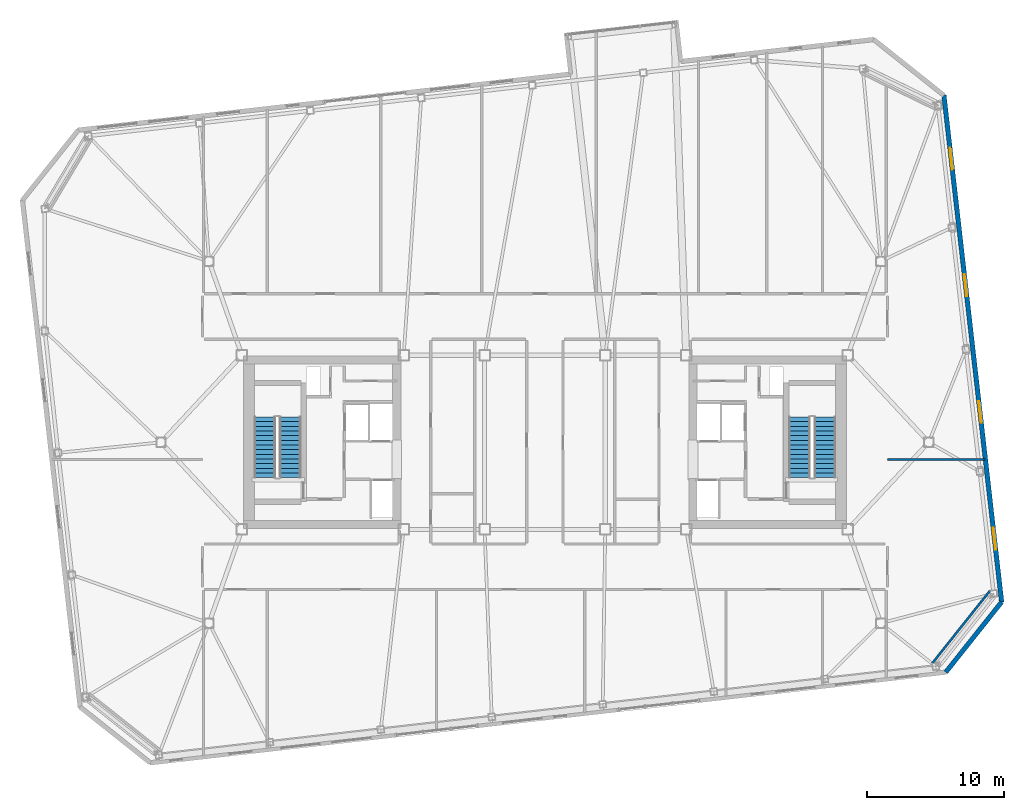
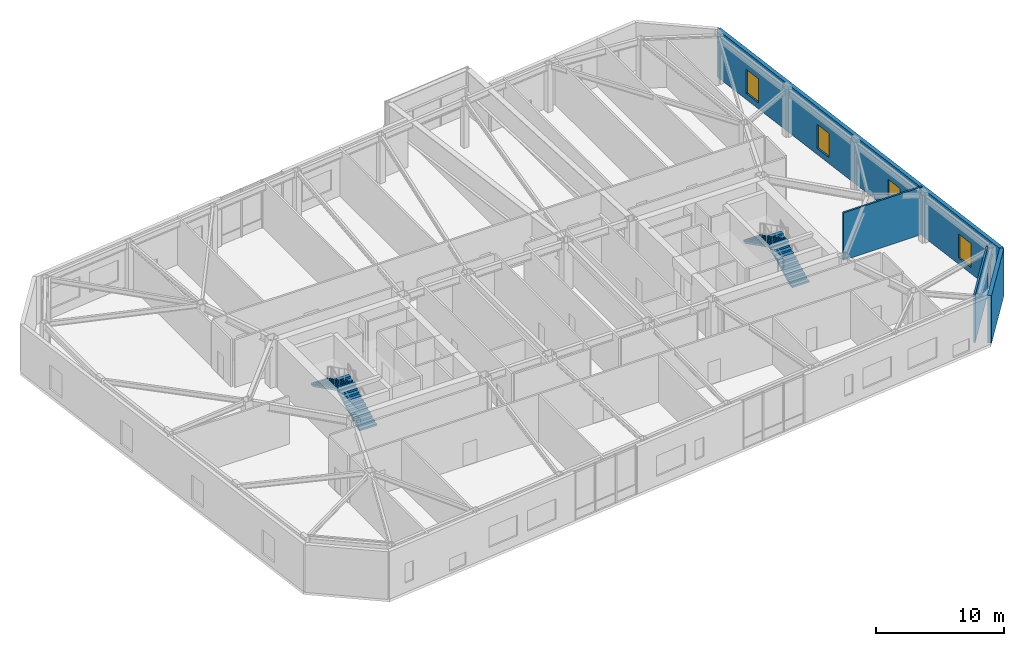
# One storey, part 18 of 21: 4 stair flights, 4 walls, 4 windows, 4 openings, 2 elements without a shape of their own.
"""IFC4 building model written with IfcOpenShell, lengths in metres."""

from ifc_helpers import new_model, si_unit, direction, frame, frame_2d, origin, place, context, subcontext, project, spatial, polyline, rectangle, outline, extrude, material, layer, layer_set, type_object, element, fill, aggregate, save


model = new_model("IFC4")

# Units and contexts
model_context = context("Model", 3, precision=1e-05, world=origin(), true_north=direction((0.0, 1.0)))
body_context = subcontext(model_context, "Body", "Model", "MODEL_VIEW")
ifc_project = project(units=[si_unit("LENGTHUNIT", "METRE"), si_unit("AREAUNIT", "SQUARE_METRE"), si_unit("VOLUMEUNIT", "CUBIC_METRE"), si_unit("PLANEANGLEUNIT", "RADIAN"), si_unit("MASSUNIT", "GRAM", prefix="KILO")], contexts=[model_context])

# Site, building, storey
site_placement = place(None, origin())
site = spatial("IfcSite", under=ifc_project, at=site_placement, CompositionType="ELEMENT")
building_placement = place(site_placement, origin())
building = spatial("IfcBuilding", under=site, at=building_placement, Name="Tavrogorsk Clinical Tower", CompositionType="ELEMENT")
storey_placement = place(building_placement, frame((0.0, 0.0, 238.199951171875)))
storey = spatial("IfcBuildingStorey", under=building, at=storey_placement, Name="L55", CompositionType="ELEMENT", Elevation=238.199951171875)

# Walls
ifc_material_1 = material(Name="Lightweight concrete blockwork B15", Category="masonry")
ifc_layer_1 = layer(ifc_material_1, 0.159912109375)
ifc_layer_set_1 = layer_set([ifc_layer_1], Name="Lightweight concrete blockwork B15")
wall_type_1 = type_object("IfcWallType", Name="PartitionWall_160", PredefinedType="PARTITIONING", material=ifc_layer_set_1)
wall_1_placement = place(storey_placement, frame((28.242431640625, -16.1337890625, 0.0), z_axis=(0.0, 0.0, 1.0), x_axis=(0.622521563328, 0.782602647064, 0.0)))
element("IfcWall", 1, at=wall_1_placement, inside=storey, type_object=wall_type_1, Name="L55 Corner Exoskeleton Brace Furring Wall 1", PredefinedType="PARTITIONING", context=body_context, shape_type="SweptSolid", body=[
    extrude(rectangle(XDim=6.788330078125, YDim=0.159912109375, at=frame_2d((3.39404296875, 0.0))), origin(), (0.0, 0.0, 1.0), 4.5400390625),
])
wall_2_placement = place(storey_placement, frame((24.97998046875, -1.25, 0.0), z_axis=(0.0, 0.0, 1.0), x_axis=(1.0, 0.0, 0.0)))
element("IfcWall", 2, at=wall_2_placement, inside=storey, type_object=wall_type_1, Name="L55 E Wing Divider 1", PredefinedType="PARTITIONING", context=body_context, shape_type="SweptSolid", body=[
    extrude(rectangle(XDim=7.133056640625, YDim=0.159912109375, at=frame_2d((3.56640625, 0.0))), origin(), (0.0, 0.0, 1.0), 4.5400390625),
])

# Wall, openings, windows
ifc_material_2 = material(Name="Precast concrete B45 with limestone cladding", Category="masonry")
ifc_layer_2 = layer(ifc_material_2, 0.340087890625)
ifc_layer_set_2 = layer_set([ifc_layer_2], Name="Precast concrete B45 with limestone cladding")
wall_type_2 = type_object("IfcWallType", Name="PrecastLimestoneWall_340", PredefinedType="STANDARD", material=ifc_layer_set_2)
wall_3_placement = place(storey_placement, frame((33.318115234375, -11.65087890625, 0.0), z_axis=(0.0, 0.0, 1.0), x_axis=(-0.11320360501, 0.9935718111, 0.0)))
wall_3 = element("IfcWall", 3, at=wall_3_placement, inside=storey, type_object=wall_type_2, Name="L55 E Pleated Limestone Wing Wall", PredefinedType="STANDARD", context=body_context, shape_type="SweptSolid", body=[
    extrude(rectangle(XDim=37.199951171875, YDim=0.340087890625, at=frame_2d((18.60009765625, 0.0))), origin(), (0.0, 0.0, 1.0), 4.5400390625),
])
opening_1_placement = place(wall_3_placement, frame((3.85009765625, 0.0, 0.580078125)))
opening_1 = element("IfcOpeningElement", 4, at=opening_1_placement, cuts=wall_3, Name="Opening WN-07", PredefinedType="OPENING", context=body_context, shape_type="SweptSolid", body=[
    extrude(rectangle(XDim=1.60009765625, YDim=2.300048828125, at=frame_2d((0.800048828125, 1.14990234375))), frame((0.0, 0.179931640625, 0.0), z_axis=(0.0, -1.0, 0.0), x_axis=(1.0, 0.0, 0.0)), (0.0, 0.0, 1.0), 0.360107421875),
])
opening_2_placement = place(wall_3_placement, frame((13.14990234375, 0.0, 0.580078125)))
opening_2 = element("IfcOpeningElement", 5, at=opening_2_placement, cuts=wall_3, Name="Opening WN-07", PredefinedType="OPENING", context=body_context, shape_type="SweptSolid", body=[
    extrude(rectangle(XDim=1.60009765625, YDim=2.300048828125, at=frame_2d((0.800048828125, 1.14990234375))), frame((0.0, 0.179931640625, 0.0), z_axis=(0.0, -1.0, 0.0), x_axis=(1.0, 0.0, 0.0)), (0.0, 0.0, 1.0), 0.360107421875),
])
opening_3_placement = place(wall_3_placement, frame((22.449951171875, 0.0, 0.580078125)))
opening_3 = element("IfcOpeningElement", 6, at=opening_3_placement, cuts=wall_3, Name="Opening WN-07", PredefinedType="OPENING", context=body_context, shape_type="SweptSolid", body=[
    extrude(rectangle(XDim=1.60009765625, YDim=2.300048828125, at=frame_2d((0.800048828125, 1.14990234375))), frame((0.0, 0.179931640625, 0.0), z_axis=(0.0, -1.0, 0.0), x_axis=(1.0, 0.0, 0.0)), (0.0, 0.0, 1.0), 0.360107421875),
])
opening_4_placement = place(wall_3_placement, frame((31.75, 0.0, 0.580078125)))
opening_4 = element("IfcOpeningElement", 7, at=opening_4_placement, cuts=wall_3, Name="Opening WN-07", PredefinedType="OPENING", context=body_context, shape_type="SweptSolid", body=[
    extrude(rectangle(XDim=1.60009765625, YDim=2.300048828125, at=frame_2d((0.800048828125, 1.14990234375))), frame((0.0, 0.179931640625, 0.0), z_axis=(0.0, -1.0, 0.0), x_axis=(1.0, 0.0, 0.0)), (0.0, 0.0, 1.0), 0.360107421875),
])
ifc_material_3 = material(Name="Thermally broken aluminium frame and triple IGU", Category="aluminium")
window_type = type_object("IfcWindowType", Name="PleatSlotWin_1600x2300", PartitioningType="SINGLE_PANEL", PredefinedType="WINDOW", material=ifc_material_3)
window_1_placement = place(opening_1_placement, origin())
window_1 = element("IfcWindow", 8, at=window_1_placement, inside=storey, type_object=window_type, Name="L55 E Pleat Slot Window 1", OverallHeight=2.300048828125, OverallWidth=1.60009765625, PartitioningType="SINGLE_PANEL", PredefinedType="WINDOW", context=body_context, shape_type="SweptSolid", body=[
    extrude(rectangle(XDim=1.60009765625, YDim=2.300048828125, at=frame_2d((0.800048828125, 1.14990234375))), frame((0.0, 0.030029296875, 0.0), z_axis=(0.0, -1.0, 0.0), x_axis=(1.0, 0.0, 0.0)), (0.0, 0.0, 1.0), 0.06005859375),
])
fill(opening_1, window_1)
window_2_placement = place(opening_2_placement, origin())
window_2 = element("IfcWindow", 9, at=window_2_placement, inside=storey, type_object=window_type, Name="L55 E Pleat Slot Window 2", OverallHeight=2.300048828125, OverallWidth=1.60009765625, PartitioningType="SINGLE_PANEL", PredefinedType="WINDOW", context=body_context, shape_type="SweptSolid", body=[
    extrude(rectangle(XDim=1.60009765625, YDim=2.300048828125, at=frame_2d((0.800048828125, 1.14990234375))), frame((0.0, 0.030029296875, 0.0), z_axis=(0.0, -1.0, 0.0), x_axis=(1.0, 0.0, 0.0)), (0.0, 0.0, 1.0), 0.06005859375),
])
fill(opening_2, window_2)
window_3_placement = place(opening_3_placement, origin())
window_3 = element("IfcWindow", 10, at=window_3_placement, inside=storey, type_object=window_type, Name="L55 E Pleat Slot Window 3", OverallHeight=2.300048828125, OverallWidth=1.60009765625, PartitioningType="SINGLE_PANEL", PredefinedType="WINDOW", context=body_context, shape_type="SweptSolid", body=[
    extrude(rectangle(XDim=1.60009765625, YDim=2.300048828125, at=frame_2d((0.800048828125, 1.14990234375))), frame((0.0, 0.030029296875, 0.0), z_axis=(0.0, -1.0, 0.0), x_axis=(1.0, 0.0, 0.0)), (0.0, 0.0, 1.0), 0.06005859375),
])
fill(opening_3, window_3)
window_4_placement = place(opening_4_placement, origin())
window_4 = element("IfcWindow", 11, at=window_4_placement, inside=storey, type_object=window_type, Name="L55 E Pleat Slot Window 4", OverallHeight=2.300048828125, OverallWidth=1.60009765625, PartitioningType="SINGLE_PANEL", PredefinedType="WINDOW", context=body_context, shape_type="SweptSolid", body=[
    extrude(rectangle(XDim=1.60009765625, YDim=2.300048828125, at=frame_2d((0.800048828125, 1.14990234375))), frame((0.0, 0.030029296875, 0.0), z_axis=(0.0, -1.0, 0.0), x_axis=(1.0, 0.0, 0.0)), (0.0, 0.0, 1.0), 0.06005859375),
])
fill(opening_4, window_4)

# Wall
wall_4_placement = place(storey_placement, frame((29.241943359375, -16.775146484375, 0.0), z_axis=(0.0, 0.0, 1.0), x_axis=(0.62252823689, 0.78259733853, 0.0)))
element("IfcWall", 12, at=wall_4_placement, inside=storey, type_object=wall_type_2, Name="L55 Chamfered Corner Wall 1", PredefinedType="STANDARD", context=body_context, shape_type="SweptSolid", body=[
    extrude(rectangle(XDim=6.5478515625, YDim=0.340087890625, at=frame_2d((3.27392578125, 0.0))), origin(), (0.0, 0.0, 1.0), 4.5400390625),
])

# Stair, stair flights
ifc_material_4 = material(Name="Concrete B60", Category="concrete")
stair_type = type_object("IfcStairType", Name="CoreStairAssembly", PredefinedType="HALF_TURN_STAIR", material=ifc_material_4)
stair_1_placement = place(storey_placement, origin())
stair_1 = element("IfcStair", 13, at=stair_1_placement, inside=storey, type_object=stair_type, Name="L55 ST-W", PredefinedType="HALF_TURN_STAIR")
ifc_material_5 = material(Name="Concrete B60", Category="concrete")
stair_flight_type = type_object("IfcStairFlightType", Name="CoreStairFlight", PredefinedType="STRAIGHT", material=ifc_material_5)
stair_flight_1_placement = place(storey_placement, frame((-18.574951171875, -2.574951171875, 0.0), z_axis=(0.0, 0.0, 1.0), x_axis=(0.0, 1.0, 0.0)))
stair_flight_1 = element("IfcStairFlight", 14, at=stair_flight_1_placement, type_object=stair_flight_type, Name="ST-W flight 1", NumberOfRisers=14, NumberOfTreads=13, PredefinedType="STRAIGHT", RiserHeight=0.171428571, TreadLength=0.34, context=body_context, shape_type="SweptSolid", body=[
    extrude(outline(polyline([(0.0, 0.0), (0.0, 0.17138671875), (0.340087890625, 0.17138671875), (0.340087890625, 0.3427734375), (0.679931640625, 0.3427734375), (0.679931640625, 0.514404296875), (1.02001953125, 0.514404296875), (1.02001953125, 0.685791015625), (1.360107421875, 0.685791015625), (1.360107421875, 0.857177734375), (1.699951171875, 0.857177734375), (1.699951171875, 1.028564453125), (2.0400390625, 1.028564453125), (2.0400390625, 1.199951171875), (2.3798828125, 1.199951171875), (2.3798828125, 1.371337890625), (2.719970703125, 1.371337890625), (2.719970703125, 1.54296875), (3.06005859375, 1.54296875), (3.06005859375, 1.71435546875), (3.39990234375, 1.71435546875), (3.39990234375, 1.8857421875), (3.739990234375, 1.8857421875), (3.739990234375, 2.05712890625), (4.080078125, 2.05712890625), (4.080078125, 2.228515625), (4.419921875, 2.228515625), (4.419921875, 2.39990234375), (4.419921875, 2.060791015625), (0.3330078125, 0.0), (0.0, 0.0)])), frame((0.0, 0.77490234375, 0.0), z_axis=(0.0, -1.0, 0.0), x_axis=(1.0, 0.0, 0.0)), (0.0, 0.0, 1.0), 1.550048828125),
])
stair_flight_2_placement = place(storey_placement, frame((-20.425048828125, 1.844970703125, 2.400146484375), z_axis=(0.0, 0.0, 1.0), x_axis=(0.0, -1.0, 0.0)))
stair_flight_2 = element("IfcStairFlight", 15, at=stair_flight_2_placement, type_object=stair_flight_type, Name="ST-W flight 2", NumberOfRisers=14, NumberOfTreads=13, PredefinedType="STRAIGHT", RiserHeight=0.171428571, TreadLength=0.34, context=body_context, shape_type="SweptSolid", body=[
    extrude(outline(polyline([(0.0, 0.0), (0.0, 0.17138671875), (0.340087890625, 0.17138671875), (0.340087890625, 0.3427734375), (0.679931640625, 0.3427734375), (0.679931640625, 0.514404296875), (1.02001953125, 0.514404296875), (1.02001953125, 0.685791015625), (1.360107421875, 0.685791015625), (1.360107421875, 0.857177734375), (1.699951171875, 0.857177734375), (1.699951171875, 1.028564453125), (2.0400390625, 1.028564453125), (2.0400390625, 1.199951171875), (2.3798828125, 1.199951171875), (2.3798828125, 1.371337890625), (2.719970703125, 1.371337890625), (2.719970703125, 1.54296875), (3.06005859375, 1.54296875), (3.06005859375, 1.71435546875), (3.39990234375, 1.71435546875), (3.39990234375, 1.8857421875), (3.739990234375, 1.8857421875), (3.739990234375, 2.05712890625), (4.080078125, 2.05712890625), (4.080078125, 2.228515625), (4.419921875, 2.228515625), (4.419921875, 2.39990234375), (4.419921875, 2.060791015625), (0.3330078125, 0.0), (0.0, 0.0)])), frame((0.0, 0.77490234375, 0.0), z_axis=(0.0, -1.0, 0.0), x_axis=(1.0, 0.0, 0.0)), (0.0, 0.0, 1.0), 1.550048828125),
])
aggregate(stair_1, [stair_flight_1, stair_flight_2])

stair_2_placement = place(storey_placement, origin())
stair_2 = element("IfcStair", 16, at=stair_2_placement, inside=storey, type_object=stair_type, Name="L55 ST-E", PredefinedType="HALF_TURN_STAIR")
stair_flight_3_placement = place(storey_placement, frame((20.425048828125, -2.574951171875, 0.0), z_axis=(0.0, 0.0, 1.0), x_axis=(0.0, 1.0, 0.0)))
stair_flight_3 = element("IfcStairFlight", 17, at=stair_flight_3_placement, type_object=stair_flight_type, Name="ST-E flight 1", NumberOfRisers=14, NumberOfTreads=13, PredefinedType="STRAIGHT", RiserHeight=0.171428571, TreadLength=0.34, context=body_context, shape_type="SweptSolid", body=[
    extrude(outline(polyline([(0.0, 0.0), (0.0, 0.17138671875), (0.340087890625, 0.17138671875), (0.340087890625, 0.3427734375), (0.679931640625, 0.3427734375), (0.679931640625, 0.514404296875), (1.02001953125, 0.514404296875), (1.02001953125, 0.685791015625), (1.360107421875, 0.685791015625), (1.360107421875, 0.857177734375), (1.699951171875, 0.857177734375), (1.699951171875, 1.028564453125), (2.0400390625, 1.028564453125), (2.0400390625, 1.199951171875), (2.3798828125, 1.199951171875), (2.3798828125, 1.371337890625), (2.719970703125, 1.371337890625), (2.719970703125, 1.54296875), (3.06005859375, 1.54296875), (3.06005859375, 1.71435546875), (3.39990234375, 1.71435546875), (3.39990234375, 1.8857421875), (3.739990234375, 1.8857421875), (3.739990234375, 2.05712890625), (4.080078125, 2.05712890625), (4.080078125, 2.228515625), (4.419921875, 2.228515625), (4.419921875, 2.39990234375), (4.419921875, 2.060791015625), (0.3330078125, 0.0), (0.0, 0.0)])), frame((0.0, 0.77490234375, 0.0), z_axis=(0.0, -1.0, 0.0), x_axis=(1.0, 0.0, 0.0)), (0.0, 0.0, 1.0), 1.550048828125),
])
stair_flight_4_placement = place(storey_placement, frame((18.574951171875, 1.844970703125, 2.400146484375), z_axis=(0.0, 0.0, 1.0), x_axis=(0.0, -1.0, 0.0)))
stair_flight_4 = element("IfcStairFlight", 18, at=stair_flight_4_placement, type_object=stair_flight_type, Name="ST-E flight 2", NumberOfRisers=14, NumberOfTreads=13, PredefinedType="STRAIGHT", RiserHeight=0.171428571, TreadLength=0.34, context=body_context, shape_type="SweptSolid", body=[
    extrude(outline(polyline([(0.0, 0.0), (0.0, 0.17138671875), (0.340087890625, 0.17138671875), (0.340087890625, 0.3427734375), (0.679931640625, 0.3427734375), (0.679931640625, 0.514404296875), (1.02001953125, 0.514404296875), (1.02001953125, 0.685791015625), (1.360107421875, 0.685791015625), (1.360107421875, 0.857177734375), (1.699951171875, 0.857177734375), (1.699951171875, 1.028564453125), (2.0400390625, 1.028564453125), (2.0400390625, 1.199951171875), (2.3798828125, 1.199951171875), (2.3798828125, 1.371337890625), (2.719970703125, 1.371337890625), (2.719970703125, 1.54296875), (3.06005859375, 1.54296875), (3.06005859375, 1.71435546875), (3.39990234375, 1.71435546875), (3.39990234375, 1.8857421875), (3.739990234375, 1.8857421875), (3.739990234375, 2.05712890625), (4.080078125, 2.05712890625), (4.080078125, 2.228515625), (4.419921875, 2.228515625), (4.419921875, 2.39990234375), (4.419921875, 2.060791015625), (0.3330078125, 0.0), (0.0, 0.0)])), frame((0.0, 0.77490234375, 0.0), z_axis=(0.0, -1.0, 0.0), x_axis=(1.0, 0.0, 0.0)), (0.0, 0.0, 1.0), 1.550048828125),
])
aggregate(stair_2, [stair_flight_3, stair_flight_4])

save(model, "model.ifc")
